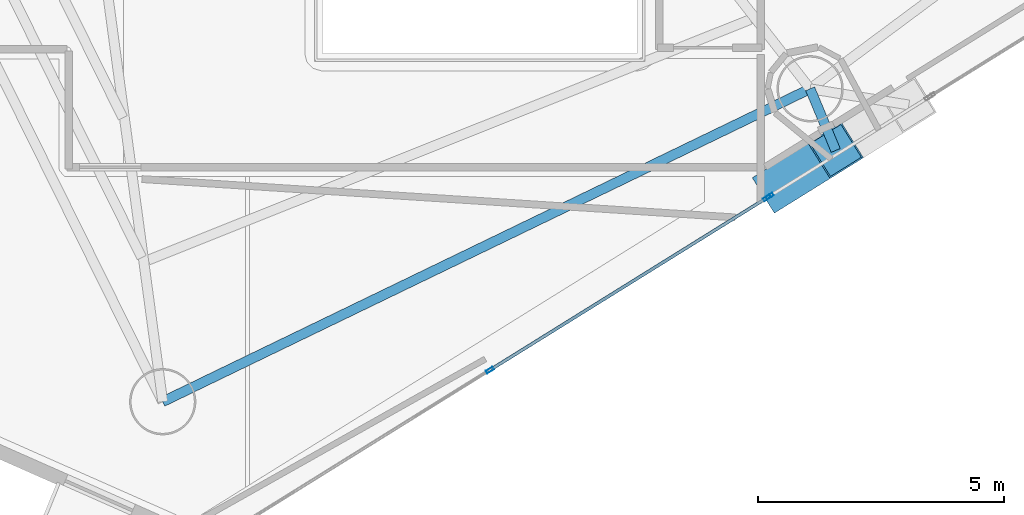
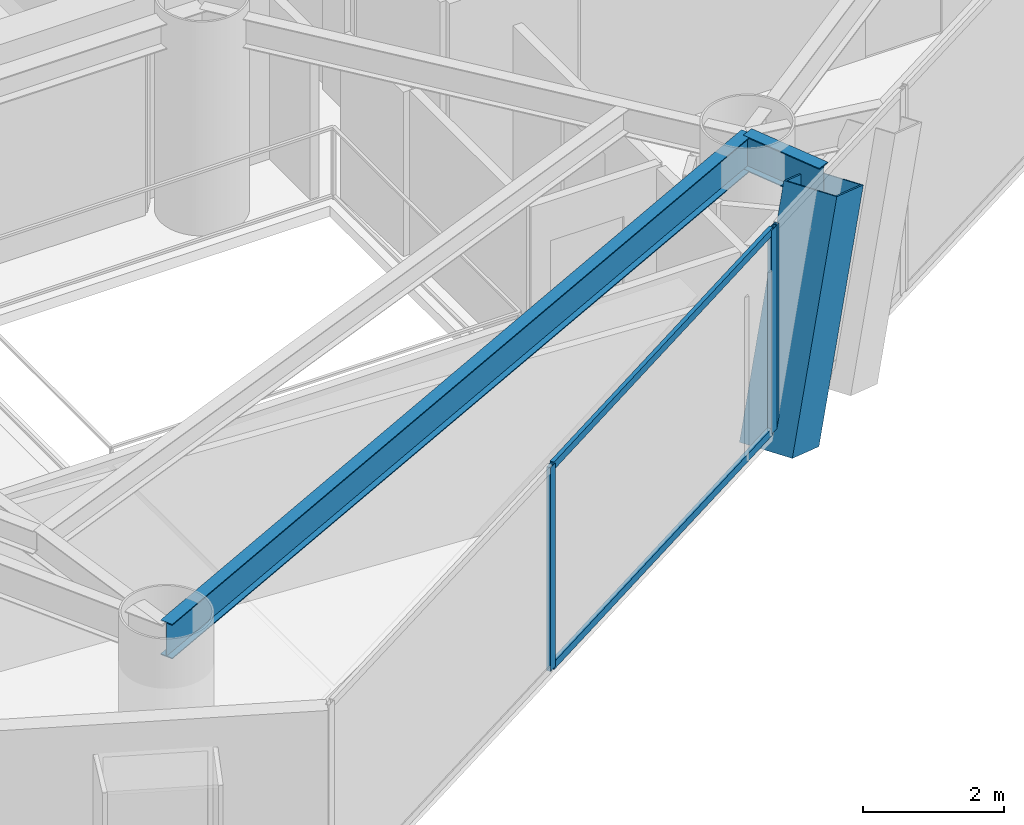
# One storey, part 5 of 22: 6 members, 2 beams, 2 elements without a shape of their own.
"""IFC4 building model written with IfcOpenShell, lengths in metres."""

from ifc_helpers import new_model, si_unit, direction, frame, origin, origin_2d, place, context, subcontext, project, spatial, hollow_rectangle, i_section, extrude, material, layer, layer_set, material_profile, profile_set, type_object, element, aggregate, save


model = new_model("IFC4")

# Units and contexts
model_context = context("Model", 3, precision=1e-05, world=origin(), true_north=direction((0.0, 1.0)))
body_context = subcontext(model_context, "Body", "Model", "MODEL_VIEW")
ifc_project = project(units=[si_unit("LENGTHUNIT", "METRE"), si_unit("AREAUNIT", "SQUARE_METRE"), si_unit("VOLUMEUNIT", "CUBIC_METRE"), si_unit("PLANEANGLEUNIT", "RADIAN"), si_unit("MASSUNIT", "GRAM", prefix="KILO")], contexts=[model_context])

# Site, building, storey
site_placement = place(None, origin())
site = spatial("IfcSite", under=ifc_project, at=site_placement, CompositionType="ELEMENT")
building_placement = place(site_placement, origin())
building = spatial("IfcBuilding", under=site, at=building_placement, Name="Qianvela Tower", CompositionType="ELEMENT")
storey_placement = place(building_placement, frame((0.0, 0.0, 177.199951171875)))
storey = spatial("IfcBuildingStorey", under=building, at=storey_placement, Name="L45", CompositionType="ELEMENT", Elevation=177.199951171875)

# Beams
ifc_material_1 = material(Name="Steel Q355B", Category="steel")
ifc_material_profile_1 = material_profile(ifc_material_1, i_section(OverallWidth=0.199951171875, OverallDepth=0.60009765625, WebThickness=0.010986328125, FlangeThickness=0.01708984375, at=origin_2d()), Name="HN600x200x11x17")
ifc_profile_set_1 = profile_set([ifc_material_profile_1], Name="Steel Q355B")
beam_type = type_object("IfcBeamType", Name="BM-HN600-GIRD", PredefinedType="BEAM", material=ifc_profile_set_1)
beam_1_placement = place(storey_placement, frame((43.52490234375, 17.279052734375, 3.218017578125), z_axis=(0.383684102609, -0.923464406139, 0.0), x_axis=(0.923464406139, 0.383684102609, 0.0)))
element("IfcBeam", 1, at=beam_1_placement, inside=storey, type_object=beam_type, Name="L45 Mega-Brace Column Tie Bracket F3-1", PredefinedType="BEAM", context=body_context, shape_type="SweptSolid", body=[
    extrude(i_section(OverallWidth=0.199951171875, OverallDepth=0.60009765625, WebThickness=0.010986328125, FlangeThickness=0.01708984375, at=origin_2d()), origin(), (0.0, 0.0, 1.0), 1.359130859375),
])
beam_2_placement = place(storey_placement, frame((30.346923828125, 10.908935546875, 3.218017578125), z_axis=(0.900328583727, 0.435210801019, 0.0), x_axis=(-0.435210801019, 0.900328583727, 0.0)))
element("IfcBeam", 2, at=beam_2_placement, inside=storey, type_object=beam_type, Name="L45 Perimeter Ring Spandrel Girder 5", PredefinedType="BEAM", context=body_context, shape_type="SweptSolid", body=[
    extrude(i_section(OverallWidth=0.199951171875, OverallDepth=0.60009765625, WebThickness=0.010986328125, FlangeThickness=0.01708984375, at=origin_2d()), origin(), (0.0, 0.0, 1.0), 14.636962890625),
])

# Curtain wall, member
ifc_material_2 = material(Name="Anodised Architectural Aluminium and Insulated Spandrel Panel", Category="aluminium")
ifc_layer_1 = layer(ifc_material_2, 0.179931640625)
ifc_layer_set_1 = layer_set([ifc_layer_1], Name="Anodised Architectural Aluminium and Insulated Spandrel Panel")
curtain_wall_type_1 = type_object("IfcCurtainWallType", Name="CW-BRACEBAY", PredefinedType="USERDEFINED", material=ifc_layer_set_1)
curtain_wall_1_placement = place(storey_placement, origin())
curtain_wall_1 = element("IfcCurtainWall", 3, at=curtain_wall_1_placement, inside=storey, type_object=curtain_wall_type_1, Name="L45 CW-BRACEBAY Curtain Wall 06B", ObjectType="CURTAIN_WALL_SYSTEM", PredefinedType="USERDEFINED")
ifc_material_3 = material(Name="Anodised Architectural Aluminium 6063-T6", Category="aluminium")
ifc_material_profile_2 = material_profile(ifc_material_3, hollow_rectangle(XDim=0.06494140625, YDim=0.159912109375, WallThickness=0.0048828125, at=origin_2d()), Name="ALU-MULL-65x160")
ifc_profile_set_2 = profile_set([ifc_material_profile_2], Name="Anodised Architectural Aluminium 6063-T6")
member_type_1 = type_object("IfcMemberType", Name="CW-BRACEBAY-MULL", PredefinedType="MULLION", material=ifc_profile_set_2)
member_1_placement = place(storey_placement, frame((42.703369140625, 15.0947265625, 0.0), z_axis=(0.0, 0.0, 1.0), x_axis=(-0.528046449634, 0.84921548916, 0.0)))
member_1 = element("IfcMember", 4, at=member_1_placement, type_object=member_type_1, Name="CW-9 mullion 1", PredefinedType="MULLION", context=body_context, shape_type="SweptSolid", body=[
    extrude(hollow_rectangle(XDim=0.06494140625, YDim=0.159912109375, WallThickness=0.0048828125, at=origin_2d()), origin(), (0.0, 0.0, 1.0), 3.52001953125),
])
aggregate(curtain_wall_1, [member_1])

# Curtain wall, members
ifc_material_4 = material(Name="Anodised Architectural Aluminium and Low-E Glass", Category="aluminium")
ifc_layer_2 = layer(ifc_material_4, 0.169921875)
ifc_layer_set_2 = layer_set([ifc_layer_2], Name="Anodised Architectural Aluminium and Low-E Glass")
curtain_wall_type_2 = type_object("IfcCurtainWallType", Name="CW-COLIV-Z34", PredefinedType="USERDEFINED", material=ifc_layer_set_2)
curtain_wall_2_placement = place(storey_placement, origin())
curtain_wall_2 = element("IfcCurtainWall", 5, at=curtain_wall_2_placement, inside=storey, type_object=curtain_wall_type_2, Name="L45 CW-COLIV-Z34 Curtain Wall 06A", ObjectType="CURTAIN_WALL_SYSTEM", PredefinedType="USERDEFINED")
ifc_material_5 = material(Name="Anodised Architectural Aluminium 6063-T6", Category="aluminium")
ifc_material_profile_3 = material_profile(ifc_material_5, hollow_rectangle(XDim=0.06494140625, YDim=0.159912109375, WallThickness=0.0048828125, at=origin_2d()), Name="ALU-MULL-65x160")
ifc_profile_set_3 = profile_set([ifc_material_profile_3], Name="Anodised Architectural Aluminium 6063-T6")
member_type_2 = type_object("IfcMemberType", Name="CW-COLIV-Z34-MULL", PredefinedType="MULLION", material=ifc_profile_set_3)
member_2_placement = place(storey_placement, frame((37.00732421875, 11.552734375, 0.0), z_axis=(0.0, 0.0, 1.0), x_axis=(-0.528037502216, 0.849221052644, 0.0)))
member_2 = element("IfcMember", 6, at=member_2_placement, type_object=member_type_2, Name="CW-4 mullion 2", PredefinedType="MULLION", context=body_context, shape_type="SweptSolid", body=[
    extrude(hollow_rectangle(XDim=0.06494140625, YDim=0.159912109375, WallThickness=0.0048828125, at=origin_2d()), origin(), (0.0, 0.0, 1.0), 3.52001953125),
])
member_3_placement = place(storey_placement, frame((42.648193359375, 15.060302734375, 0.0), z_axis=(0.0, 0.0, 1.0), x_axis=(-0.528037502216, 0.849221052644, 0.0)))
member_3 = element("IfcMember", 7, at=member_3_placement, type_object=member_type_2, Name="CW-4 mullion 3", PredefinedType="MULLION", context=body_context, shape_type="SweptSolid", body=[
    extrude(hollow_rectangle(XDim=0.06494140625, YDim=0.159912109375, WallThickness=0.0048828125, at=origin_2d()), origin(), (0.0, 0.0, 1.0), 3.52001953125),
])
ifc_material_6 = material(Name="Anodised Architectural Aluminium 6063-T6", Category="aluminium")
ifc_material_profile_4 = material_profile(ifc_material_6, hollow_rectangle(XDim=0.06494140625, YDim=0.1298828125, WallThickness=0.00439453125, at=origin_2d()), Name="ALU-TRAN-65x130")
ifc_profile_set_4 = profile_set([ifc_material_profile_4], Name="Anodised Architectural Aluminium 6063-T6")
member_type_3 = type_object("IfcMemberType", Name="CW-COLIV-Z34-TRAN", PredefinedType="USERDEFINED", material=ifc_profile_set_4)
member_4_placement = place(storey_placement, frame((37.034912109375, 11.570068359375, 0.032470703125), z_axis=(0.849220098499, 0.528039036725, 0.0), x_axis=(-0.528039036725, 0.849220098499, 0.0)))
member_4 = element("IfcMember", 8, at=member_4_placement, type_object=member_type_3, Name="CW-4 transom 2.1", ObjectType="TRANSOM", PredefinedType="USERDEFINED", context=body_context, shape_type="SweptSolid", body=[
    extrude(hollow_rectangle(XDim=0.06494140625, YDim=0.1298828125, WallThickness=0.00439453125, at=origin_2d()), origin(), (0.0, 0.0, 1.0), 6.577392578125),
])
member_5_placement = place(storey_placement, frame((37.034912109375, 11.570068359375, 3.487548828125), z_axis=(0.849220098499, 0.528039036725, 0.0), x_axis=(-0.528039036725, 0.849220098499, 0.0)))
member_5 = element("IfcMember", 9, at=member_5_placement, type_object=member_type_3, Name="CW-4 transom 2.2", ObjectType="TRANSOM", PredefinedType="USERDEFINED", context=body_context, shape_type="SweptSolid", body=[
    extrude(hollow_rectangle(XDim=0.06494140625, YDim=0.1298828125, WallThickness=0.00439453125, at=origin_2d()), origin(), (0.0, 0.0, 1.0), 6.577392578125),
])
aggregate(curtain_wall_2, [member_2, member_3, member_4, member_5])

# Member
ifc_material_7 = material(Name="Steel Q420GJC", Category="steel")
ifc_material_profile_5 = material_profile(ifc_material_7, hollow_rectangle(XDim=0.85009765625, YDim=0.85009765625, WallThickness=0.031982421875, at=origin_2d()), Name="MBOX-850x850x32")
ifc_profile_set_5 = profile_set([ifc_material_profile_5], Name="Steel Q420GJC")
member_type_4 = type_object("IfcMemberType", Name="MBR-MBRACE-850", PredefinedType="BRACE", material=ifc_profile_set_5)
member_6_placement = place(storey_placement, frame((42.912109375, 15.318603515625, -0.48193359375), z_axis=(0.288351440524, 0.179304199671, 0.940586758746), x_axis=(-0.528058827457, 0.849207792442, 0.0)))
element("IfcMember", 10, at=member_6_placement, inside=storey, type_object=member_type_4, Name="L45 Tier 7 Exterior Mega-Brace F3A", PredefinedType="BRACE", context=body_context, shape_type="SweptSolid", body=[
    extrude(hollow_rectangle(XDim=0.85009765625, YDim=0.85009765625, WallThickness=0.031982421875, at=origin_2d()), origin(), (0.0, 0.0, 1.0), 3.93359375),
])

save(model, "model.ifc")
